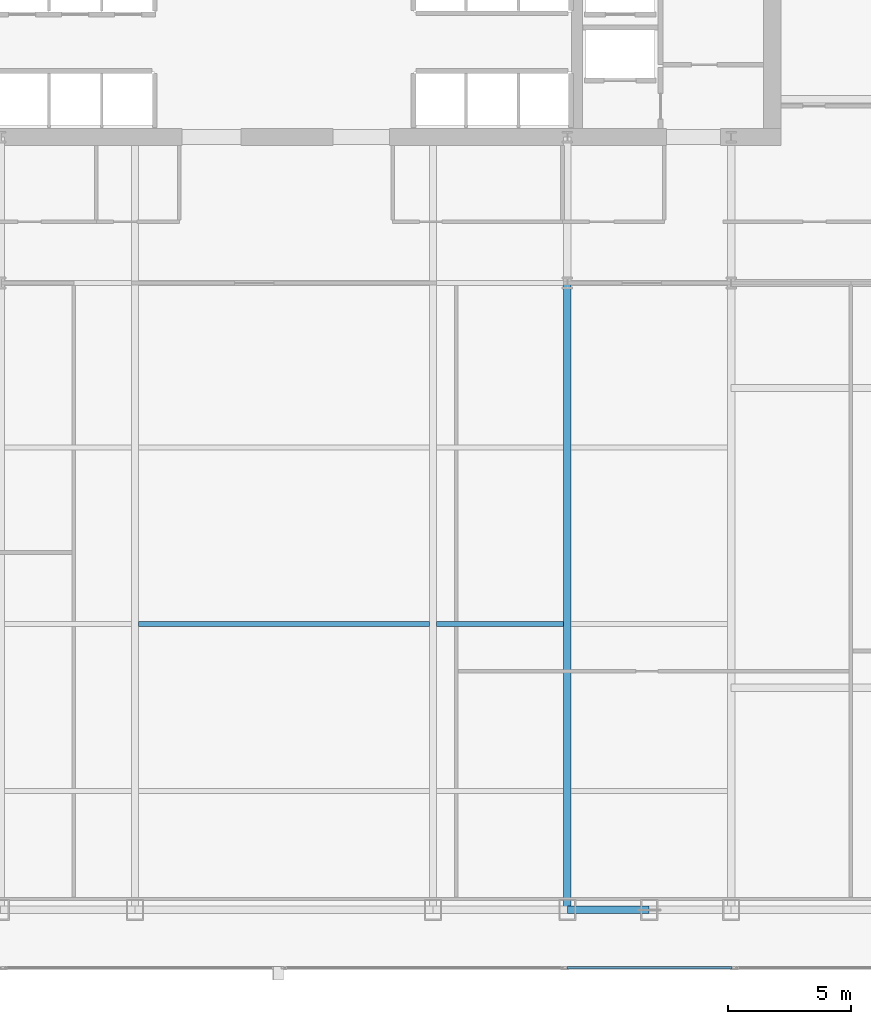
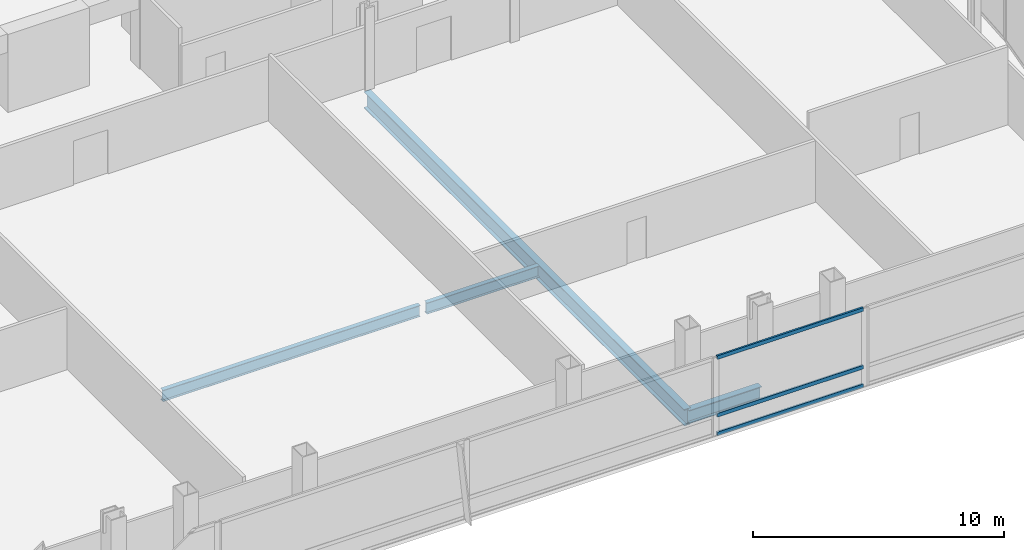
# One storey, part 14 of 34: 4 beams, 3 members, 1 element without a shape of its own.
"""IFC4 building model written with IfcOpenShell, lengths in metres."""

from ifc_helpers import new_model, si_unit, direction, frame, origin, origin_2d, place, context, subcontext, project, spatial, hollow_rectangle, i_section, extrude, material, material_profile, profile_set, type_object, element, aggregate, save


model = new_model("IFC4")

# Units and contexts
model_context = context("Model", 3, precision=1e-05, world=origin(), true_north=direction((0.0, 1.0)))
body_context = subcontext(model_context, "Body", "Model", "MODEL_VIEW")
ifc_project = project(units=[si_unit("LENGTHUNIT", "METRE"), si_unit("AREAUNIT", "SQUARE_METRE"), si_unit("VOLUMEUNIT", "CUBIC_METRE"), si_unit("PLANEANGLEUNIT", "RADIAN"), si_unit("MASSUNIT", "GRAM", prefix="KILO")], contexts=[model_context])

# Site, building, storey
site_placement = place(None, origin())
site = spatial("IfcSite", under=ifc_project, at=site_placement, CompositionType="ELEMENT")
building_placement = place(site_placement, origin())
building = spatial("IfcBuilding", under=site, at=building_placement, Name="Khoronbel Lancet Exchange", CompositionType="ELEMENT")
storey_placement = place(building_placement, frame((0.0, 0.0, 102.60009765625)))
storey = spatial("IfcBuildingStorey", under=building, at=storey_placement, Name="L24", CompositionType="ELEMENT", Elevation=102.60009765625)

# Beams
ifc_material_1 = material(Name="Steel S355", Category="steel")
ifc_material_profile_1 = material_profile(ifc_material_1, i_section(OverallWidth=0.300048828125, OverallDepth=0.800048828125, WebThickness=0.017578125, FlangeThickness=0.032958984375, at=origin_2d()), Name="HEB 800")
ifc_profile_set_1 = profile_set([ifc_material_profile_1], Name="Steel S355")
beam_type_1 = type_object("IfcBeamType", Name="BM-BG2", PredefinedType="BEAM", material=ifc_profile_set_1)
beam_1_placement = place(storey_placement, frame((48.0, 10.14990234375, -0.580078125), z_axis=(0.0, 1.0, 0.0), x_axis=(-1.0, 0.0, 0.0)))
element("IfcBeam", 1, at=beam_1_placement, inside=storey, type_object=beam_type_1, Name="Level L24 south primary girder GS5", PredefinedType="BEAM", context=body_context, shape_type="SweptSolid", body=[
    extrude(i_section(OverallWidth=0.300048828125, OverallDepth=0.800048828125, WebThickness=0.017578125, FlangeThickness=0.032958984375, at=origin_2d()), origin(), (0.0, 0.0, 1.0), 25.550048828125),
])
ifc_material_profile_2 = material_profile(ifc_material_1, i_section(OverallWidth=0.2099609375, OverallDepth=0.550048828125, WebThickness=0.010986328125, FlangeThickness=0.01708984375, at=origin_2d()), Name="IPE 550")
ifc_profile_set_2 = profile_set([ifc_material_profile_2], Name="Steel S355")
beam_type_2 = type_object("IfcBeamType", Name="BM-BJ2", PredefinedType="JOIST", material=ifc_profile_set_2)
beam_2_placement = place(storey_placement, frame((30.52490234375, 21.800048828125, -0.455078125), z_axis=(1.0, 0.0, 0.0), x_axis=(0.0, 1.0, 0.0)))
element("IfcBeam", 2, at=beam_2_placement, inside=storey, type_object=beam_type_2, Name="Level L24 secondary composite joist J08", PredefinedType="JOIST", context=body_context, shape_type="SweptSolid", body=[
    extrude(i_section(OverallWidth=0.2099609375, OverallDepth=0.550048828125, WebThickness=0.010986328125, FlangeThickness=0.01708984375, at=origin_2d()), origin(), (0.0, 0.0, 1.0), 11.85009765625),
])
beam_3_placement = place(storey_placement, frame((42.675048828125, 21.800048828125, -0.455078125), z_axis=(1.0, 0.0, 0.0), x_axis=(0.0, 1.0, 0.0)))
element("IfcBeam", 3, at=beam_3_placement, inside=storey, type_object=beam_type_2, Name="Level L24 secondary composite joist J09", PredefinedType="JOIST", context=body_context, shape_type="SweptSolid", body=[
    extrude(i_section(OverallWidth=0.2099609375, OverallDepth=0.550048828125, WebThickness=0.010986328125, FlangeThickness=0.01708984375, at=origin_2d()), origin(), (0.0, 0.0, 1.0), 5.175048828125),
])
ifc_material_profile_3 = material_profile(ifc_material_1, i_section(OverallWidth=0.300048828125, OverallDepth=0.64990234375, WebThickness=0.01611328125, FlangeThickness=0.031005859375, at=origin_2d()), Name="HEB 650")
ifc_profile_set_3 = profile_set([ifc_material_profile_3], Name="Steel S355")
beam_type_3 = type_object("IfcBeamType", Name="BM-BSP1", PredefinedType="SPANDREL", material=ifc_profile_set_3)
beam_4_placement = place(storey_placement, frame((48.0, 10.14990234375, -0.505126953125), z_axis=(1.0, 0.0, 0.0), x_axis=(0.0, 1.0, 0.0)))
element("IfcBeam", 4, at=beam_4_placement, inside=storey, type_object=beam_type_3, Name="Level L24 perimeter spandrel beam SP07", PredefinedType="SPANDREL", context=body_context, shape_type="SweptSolid", body=[
    extrude(i_section(OverallWidth=0.300048828125, OverallDepth=0.64990234375, WebThickness=0.01611328125, FlangeThickness=0.031005859375, at=origin_2d()), origin(), (0.0, 0.0, 1.0), 3.33740234375),
])

# Curtain wall, members
ifc_material_2 = material(Name="Low-E Solar Control Insulating Glass", Category="glass")
curtain_wall_type = type_object("IfcCurtainWallType", Name="CW-2", PredefinedType="NOTDEFINED", material=ifc_material_2)
curtain_wall_placement = place(storey_placement, origin())
curtain_wall = element("IfcCurtainWall", 5, at=curtain_wall_placement, inside=storey, type_object=curtain_wall_type, Name="Unitised curtain wall CW-L24-SEB", PredefinedType="NOTDEFINED")
ifc_material_3 = material(Name="Bronze-Anodised Aluminium 6063-T6", Category="aluminium")
ifc_material_profile_4 = material_profile(ifc_material_3, hollow_rectangle(XDim=0.0849609375, YDim=0.179931640625, WallThickness=0.0048828125, at=origin_2d()), Name="ALU TRANSOM 85x180")
ifc_profile_set_4 = profile_set([ifc_material_profile_4], Name="Bronze-Anodised Aluminium 6063-T6")
member_type = type_object("IfcMemberType", Name="MEM-CWT1", PredefinedType="USERDEFINED", material=ifc_profile_set_4)
member_1_placement = place(storey_placement, frame((47.985107421875, 7.7900390625, 0.04248046875), z_axis=(1.0, 0.0, 0.0), x_axis=(0.0, 1.0, 0.0)))
member_1 = element("IfcMember", 6, at=member_1_placement, type_object=member_type, Name="CW2 transom 1.1", ObjectType="TRANSOM", PredefinedType="USERDEFINED", context=body_context, shape_type="SweptSolid", body=[
    extrude(hollow_rectangle(XDim=0.0849609375, YDim=0.179931640625, WallThickness=0.0048828125, at=origin_2d()), origin(), (0.0, 0.0, 1.0), 6.72998046875),
])
member_2_placement = place(storey_placement, frame((47.985107421875, 7.7900390625, 0.949951171875), z_axis=(1.0, 0.0, 0.0), x_axis=(0.0, 1.0, 0.0)))
member_2 = element("IfcMember", 7, at=member_2_placement, type_object=member_type, Name="CW2 transom 1.2", ObjectType="TRANSOM", PredefinedType="USERDEFINED", context=body_context, shape_type="SweptSolid", body=[
    extrude(hollow_rectangle(XDim=0.0849609375, YDim=0.179931640625, WallThickness=0.0048828125, at=origin_2d()), origin(), (0.0, 0.0, 1.0), 6.72998046875),
])
member_3_placement = place(storey_placement, frame((47.985107421875, 7.7900390625, 3.75732421875), z_axis=(1.0, 0.0, 0.0), x_axis=(0.0, 1.0, 0.0)))
member_3 = element("IfcMember", 8, at=member_3_placement, type_object=member_type, Name="CW2 transom 1.3", ObjectType="TRANSOM", PredefinedType="USERDEFINED", context=body_context, shape_type="SweptSolid", body=[
    extrude(hollow_rectangle(XDim=0.0849609375, YDim=0.179931640625, WallThickness=0.0048828125, at=origin_2d()), origin(), (0.0, 0.0, 1.0), 6.72998046875),
])
aggregate(curtain_wall, [member_1, member_2, member_3])

save(model, "model.ifc")
